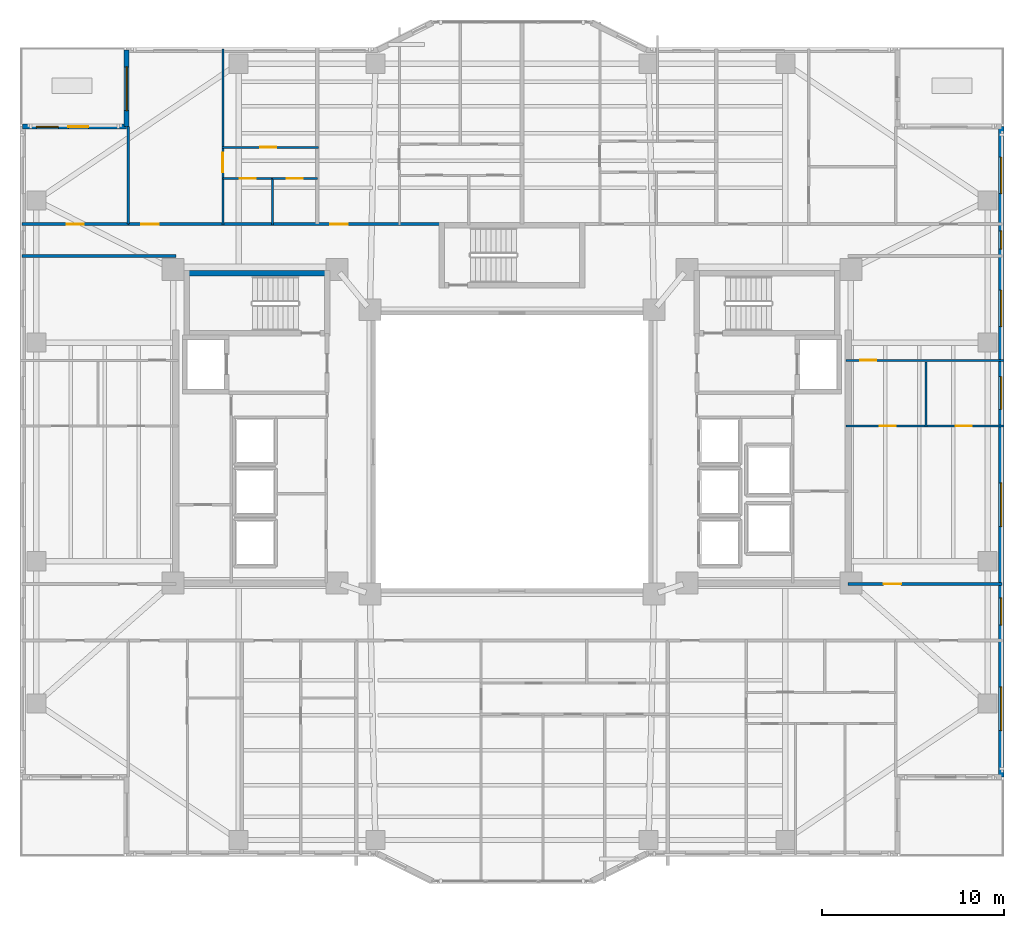
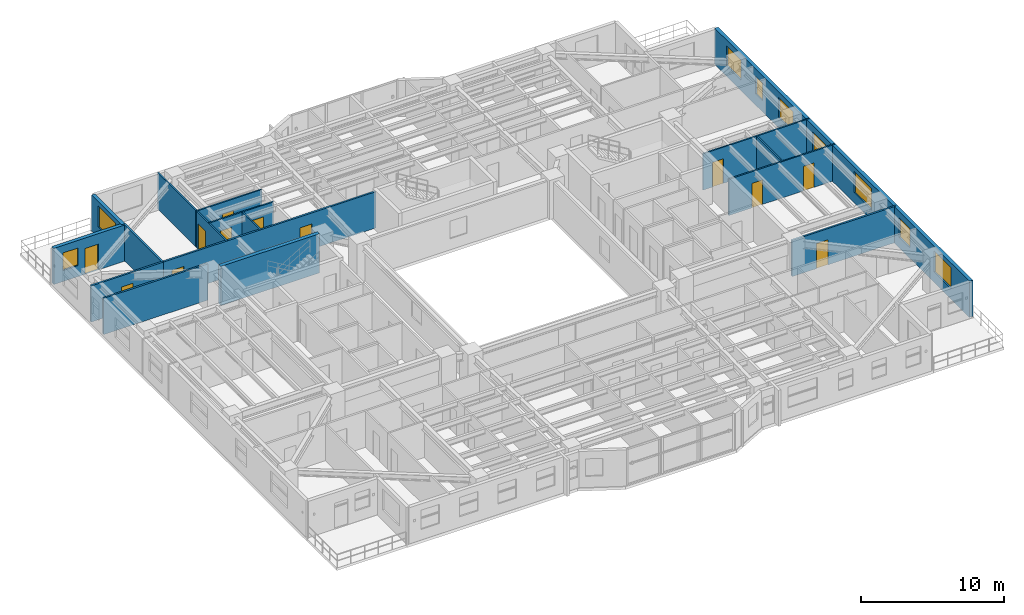
# One storey, part 10 of 19: 17 walls, 12 doors, 9 windows, 21 openings.
"""IFC4 building model written with IfcOpenShell, lengths in metres."""

from ifc_helpers import new_model, si_unit, direction, frame, frame_2d, origin, place, context, subcontext, project, spatial, rectangle, extrude, material, layer, layer_set, type_object, element, fill, save


model = new_model("IFC4")

# Units and contexts
model_context = context("Model", 3, precision=1e-05, world=origin(), true_north=direction((0.0, 1.0)))
body_context = subcontext(model_context, "Body", "Model", "MODEL_VIEW")
ifc_project = project(units=[si_unit("LENGTHUNIT", "METRE"), si_unit("AREAUNIT", "SQUARE_METRE"), si_unit("VOLUMEUNIT", "CUBIC_METRE"), si_unit("PLANEANGLEUNIT", "RADIAN"), si_unit("MASSUNIT", "GRAM", prefix="KILO")], contexts=[model_context])

# Site, building, storey
site_placement = place(None, origin())
site = spatial("IfcSite", under=ifc_project, at=site_placement, CompositionType="ELEMENT")
building_placement = place(site_placement, origin())
building = spatial("IfcBuilding", under=site, at=building_placement, Name="Tarnavaz Court Tower", CompositionType="ELEMENT")
storey_placement = place(building_placement, frame((0.0, 0.0, 78.300048828125)))
storey = spatial("IfcBuildingStorey", under=building, at=storey_placement, Name="L20", CompositionType="ELEMENT", Elevation=78.300048828125)

# Wall
ifc_material_1 = material(Name="Concrete C60/75", Category="concrete")
ifc_layer_1 = layer(ifc_material_1, 0.300048828125)
ifc_layer_set_1 = layer_set([ifc_layer_1], Name="Concrete C60/75")
wall_type_1 = type_object("IfcWallType", Name="WL-CORE-300-C60", PredefinedType="SHEAR", material=ifc_layer_set_1)
wall_1_placement = place(storey_placement, frame((-18.0, 9.7900390625, 0.0), z_axis=(0.0, 0.0, 1.0), x_axis=(1.0, 0.0, 0.0)))
element("IfcWall", 1, at=wall_1_placement, inside=storey, type_object=wall_type_1, Name="L20 West Stair Core Wall 001", PredefinedType="SHEAR", context=body_context, shape_type="SweptSolid", body=[
    extrude(rectangle(XDim=8.0, YDim=0.300048828125, at=frame_2d((4.0, 0.0))), origin(), (0.0, 0.0, 1.0), 3.349853515625),
])

# Wall, openings, door, window
ifc_material_2 = material(Name="Precast Concrete C40/50", Category="concrete")
ifc_layer_2 = layer(ifc_material_2, 0.280029296875)
ifc_layer_set_2 = layer_set([ifc_layer_2], Name="Precast Concrete C40/50")
wall_type_2 = type_object("IfcWallType", Name="WL-EXT-280", PredefinedType="SOLIDWALL", material=ifc_layer_set_2)
wall_2_placement = place(storey_placement, frame((-26.85009765625, 17.85009765625, 0.0), z_axis=(0.0, 0.0, 1.0), x_axis=(1.0, 0.0, 0.0)))
wall_2 = element("IfcWall", 2, at=wall_2_placement, inside=storey, type_object=wall_type_2, Name="L20 Exterior Terracotta Facade Wall 03", PredefinedType="SOLIDWALL", context=body_context, shape_type="SweptSolid", body=[
    extrude(rectangle(XDim=5.7001953125, YDim=0.280029296875, at=frame_2d((2.85009765625, 0.0))), origin(), (0.0, 0.0, 1.0), 3.099853515625),
])
opening_1_placement = place(wall_2_placement, frame((2.5, 0.0, 0.0)))
opening_1 = element("IfcOpeningElement", 3, at=opening_1_placement, cuts=wall_2, Name="Opening TD1", PredefinedType="OPENING", context=body_context, shape_type="SweptSolid", body=[
    extrude(rectangle(XDim=1.10009765625, YDim=2.199951171875, at=frame_2d((0.550048828125, 1.10009765625))), frame((0.0, 0.14990234375, 0.0), z_axis=(0.0, -1.0, 0.0), x_axis=(1.0, 0.0, 0.0)), (0.0, 0.0, 1.0), 0.300048828125),
])
opening_2_placement = place(wall_2_placement, frame((0.7548828125, 0.0, 0.949951171875)))
opening_2 = element("IfcOpeningElement", 4, at=opening_2_placement, cuts=wall_2, Name="Opening W05", PredefinedType="OPENING", context=body_context, shape_type="SweptSolid", body=[
    extrude(rectangle(XDim=1.199951171875, YDim=1.5, at=frame_2d((0.60009765625, 0.75))), frame((0.0, 0.14990234375, 0.0), z_axis=(0.0, -1.0, 0.0), x_axis=(1.0, 0.0, 0.0)), (0.0, 0.0, 1.0), 0.300048828125),
])
ifc_material_3 = material(Name="Thermally Broken Aluminium and Laminated Glass", Category="aluminium")
door_type_1 = type_object("IfcDoorType", Name="DR-TERR-1100", OperationType="NOTDEFINED", PredefinedType="DOOR", material=ifc_material_3)
door_1_placement = place(opening_1_placement, origin())
door_1 = element("IfcDoor", 5, at=door_1_placement, inside=storey, type_object=door_type_1, Name="L20 Sky Terrace Access Door 2", OperationType="SINGLE_SWING_RIGHT", OverallHeight=2.199951171875, OverallWidth=1.10009765625, PredefinedType="DOOR", context=body_context, shape_type="SweptSolid", body=[
    extrude(rectangle(XDim=1.10009765625, YDim=2.199951171875, at=frame_2d((0.550048828125, 1.10009765625))), frame((0.0, 0.02490234375, 0.0), z_axis=(0.0, -1.0, 0.0), x_axis=(1.0, 0.0, 0.0)), (0.0, 0.0, 1.0), 0.050048828125),
])
fill(opening_1, door_1)
ifc_material_4 = material(Name="Double-Glazed Solar Low-E Glass", Category="glass")
window_type_1 = type_object("IfcWindowType", Name="WN-APT-1200", PartitioningType="SINGLE_PANEL", PredefinedType="WINDOW", material=ifc_material_4)
window_1_placement = place(opening_2_placement, origin())
window_1 = element("IfcWindow", 6, at=window_1_placement, inside=storey, type_object=window_type_1, Name="L20 North-West Corner Sunroom Study Window", OverallHeight=1.5, OverallWidth=1.199951171875, PartitioningType="SINGLE_PANEL", PredefinedType="WINDOW", context=body_context, shape_type="SweptSolid", body=[
    extrude(rectangle(XDim=1.199951171875, YDim=1.5, at=frame_2d((0.60009765625, 0.75))), frame((0.0, 0.030029296875, 0.0), z_axis=(0.0, -1.0, 0.0), x_axis=(1.0, 0.0, 0.0)), (0.0, 0.0, 1.0), 0.06005859375),
])
fill(opening_2, window_1)

# Wall, opening, window
wall_3_placement = place(storey_placement, frame((-21.14990234375, 17.85009765625, 0.0), z_axis=(0.0, 0.0, 1.0), x_axis=(0.0, 1.0, 0.0)))
wall_3 = element("IfcWall", 7, at=wall_3_placement, inside=storey, type_object=wall_type_2, Name="L20 Exterior Terracotta Facade Wall 04", PredefinedType="SOLIDWALL", context=body_context, shape_type="SweptSolid", body=[
    extrude(rectangle(XDim=4.199951171875, YDim=0.280029296875, at=frame_2d((2.10009765625, 0.0))), origin(), (0.0, 0.0, 1.0), 3.099853515625),
])
opening_3_placement = place(wall_3_placement, frame((0.882080078125, 0.0, 0.89990234375)))
opening_3 = element("IfcOpeningElement", 8, at=opening_3_placement, cuts=wall_3, Name="Opening W06", PredefinedType="OPENING", context=body_context, shape_type="SweptSolid", body=[
    extrude(rectangle(XDim=2.39990234375, YDim=1.800048828125, at=frame_2d((1.199951171875, 0.89990234375))), frame((0.0, 0.14990234375, 0.0), z_axis=(0.0, -1.0, 0.0), x_axis=(1.0, 0.0, 0.0)), (0.0, 0.0, 1.0), 0.300048828125),
])
window_type_2 = type_object("IfcWindowType", Name="WN-APT-2400", PartitioningType="TRIPLE_PANEL_VERTICAL", PredefinedType="WINDOW", material=ifc_material_4)
window_2_placement = place(opening_3_placement, origin())
window_2 = element("IfcWindow", 9, at=window_2_placement, inside=storey, type_object=window_type_2, Name="L20 Flat 01 Living and Dining Room Window", OverallHeight=1.800048828125, OverallWidth=2.39990234375, PartitioningType="SINGLE_PANEL", PredefinedType="WINDOW", context=body_context, shape_type="SweptSolid", body=[
    extrude(rectangle(XDim=2.39990234375, YDim=1.800048828125, at=frame_2d((1.199951171875, 0.89990234375))), frame((0.0, 0.030029296875, 0.0), z_axis=(0.0, -1.0, 0.0), x_axis=(1.0, 0.0, 0.0)), (0.0, 0.0, 1.0), 0.06005859375),
])
fill(opening_3, window_2)

# Wall, openings, windows
wall_4_placement = place(storey_placement, frame((26.85009765625, 17.85009765625, 0.0), z_axis=(0.0, 0.0, 1.0), x_axis=(0.0, -1.0, 0.0)))
wall_4 = element("IfcWall", 10, at=wall_4_placement, inside=storey, type_object=wall_type_2, Name="L20 Exterior Terracotta Facade Wall 12", PredefinedType="SOLIDWALL", context=body_context, shape_type="SweptSolid", body=[
    extrude(rectangle(XDim=35.7001953125, YDim=0.280029296875, at=frame_2d((17.85009765625, 0.0))), origin(), (0.0, 0.0, 1.0), 3.099853515625),
])
opening_4_placement = place(wall_4_placement, frame((1.675048828125, 0.0, 0.89990234375)))
opening_4 = element("IfcOpeningElement", 11, at=opening_4_placement, cuts=wall_4, Name="Opening W08", PredefinedType="OPENING", context=body_context, shape_type="SweptSolid", body=[
    extrude(rectangle(XDim=2.0, YDim=1.699951171875, at=frame_2d((1.0, 0.85009765625))), frame((0.0, 0.14990234375, 0.0), z_axis=(0.0, -1.0, 0.0), x_axis=(1.0, 0.0, 0.0)), (0.0, 0.0, 1.0), 0.300048828125),
])
opening_5_placement = place(wall_4_placement, frame((5.72509765625, 0.0, 0.949951171875)))
opening_5 = element("IfcOpeningElement", 12, at=opening_5_placement, cuts=wall_4, Name="Opening W14", PredefinedType="OPENING", context=body_context, shape_type="SweptSolid", body=[
    extrude(rectangle(XDim=1.0, YDim=1.5, at=frame_2d((0.5, 0.75))), frame((0.0, 0.14990234375, 0.0), z_axis=(0.0, -1.0, 0.0), x_axis=(1.0, 0.0, 0.0)), (0.0, 0.0, 1.0), 0.300048828125),
])
opening_6_placement = place(wall_4_placement, frame((8.97509765625, 0.0, 0.89990234375)))
opening_6 = element("IfcOpeningElement", 13, at=opening_6_placement, cuts=wall_4, Name="Opening W08", PredefinedType="OPENING", context=body_context, shape_type="SweptSolid", body=[
    extrude(rectangle(XDim=2.0, YDim=1.699951171875, at=frame_2d((1.0, 0.85009765625))), frame((0.0, 0.14990234375, 0.0), z_axis=(0.0, -1.0, 0.0), x_axis=(1.0, 0.0, 0.0)), (0.0, 0.0, 1.0), 0.300048828125),
])
opening_7_placement = place(wall_4_placement, frame((13.72509765625, 0.0, 0.89990234375)))
opening_7 = element("IfcOpeningElement", 14, at=opening_7_placement, cuts=wall_4, Name="Opening W01", PredefinedType="OPENING", context=body_context, shape_type="SweptSolid", body=[
    extrude(rectangle(XDim=1.800048828125, YDim=1.64990234375, at=frame_2d((0.89990234375, 0.824951171875))), frame((0.0, 0.14990234375, 0.0), z_axis=(0.0, -1.0, 0.0), x_axis=(1.0, 0.0, 0.0)), (0.0, 0.0, 1.0), 0.300048828125),
])
opening_8_placement = place(wall_4_placement, frame((19.550048828125, 0.0, 0.89990234375)))
opening_8 = element("IfcOpeningElement", 15, at=opening_8_placement, cuts=wall_4, Name="Opening W06", PredefinedType="OPENING", context=body_context, shape_type="SweptSolid", body=[
    extrude(rectangle(XDim=2.39990234375, YDim=1.800048828125, at=frame_2d((1.199951171875, 0.89990234375))), frame((0.0, 0.14990234375, 0.0), z_axis=(0.0, -1.0, 0.0), x_axis=(1.0, 0.0, 0.0)), (0.0, 0.0, 1.0), 0.300048828125),
])
opening_9_placement = place(wall_4_placement, frame((25.857421875, 0.0, 0.89990234375)))
opening_9 = element("IfcOpeningElement", 16, at=opening_9_placement, cuts=wall_4, Name="Opening W03", PredefinedType="OPENING", context=body_context, shape_type="SweptSolid", body=[
    extrude(rectangle(XDim=1.5, YDim=1.64990234375, at=frame_2d((0.75, 0.824951171875))), frame((0.0, 0.14990234375, 0.0), z_axis=(0.0, -1.0, 0.0), x_axis=(1.0, 0.0, 0.0)), (0.0, 0.0, 1.0), 0.300048828125),
])
opening_10_placement = place(wall_4_placement, frame((30.75, 0.0, 0.89990234375)))
opening_10 = element("IfcOpeningElement", 17, at=opening_10_placement, cuts=wall_4, Name="Opening W06", PredefinedType="OPENING", context=body_context, shape_type="SweptSolid", body=[
    extrude(rectangle(XDim=2.39990234375, YDim=1.800048828125, at=frame_2d((1.199951171875, 0.89990234375))), frame((0.0, 0.14990234375, 0.0), z_axis=(0.0, -1.0, 0.0), x_axis=(1.0, 0.0, 0.0)), (0.0, 0.0, 1.0), 0.300048828125),
])
window_type_3 = type_object("IfcWindowType", Name="WN-APT-1000", PartitioningType="SINGLE_PANEL", PredefinedType="WINDOW", material=ifc_material_4)
window_3_placement = place(opening_5_placement, origin())
window_3 = element("IfcWindow", 18, at=window_3_placement, inside=storey, type_object=window_type_3, Name="L20 North-East Corner Corridor Window", OverallHeight=1.5, OverallWidth=1.0, PartitioningType="SINGLE_PANEL", PredefinedType="WINDOW", context=body_context, shape_type="SweptSolid", body=[
    extrude(rectangle(XDim=1.0, YDim=1.5, at=frame_2d((0.5, 0.75))), frame((0.0, 0.030029296875, 0.0), z_axis=(0.0, -1.0, 0.0), x_axis=(1.0, 0.0, 0.0)), (0.0, 0.0, 1.0), 0.06005859375),
])
fill(opening_5, window_3)
window_type_4 = type_object("IfcWindowType", Name="WN-APT-1500", PartitioningType="DOUBLE_PANEL_VERTICAL", PredefinedType="WINDOW", material=ifc_material_4)
window_4_placement = place(opening_9_placement, origin())
window_4 = element("IfcWindow", 19, at=window_4_placement, inside=storey, type_object=window_type_4, Name="L20 South-East Corner Corridor Window", OverallHeight=1.64990234375, OverallWidth=1.5, PartitioningType="SINGLE_PANEL", PredefinedType="WINDOW", context=body_context, shape_type="SweptSolid", body=[
    extrude(rectangle(XDim=1.5, YDim=1.64990234375, at=frame_2d((0.75, 0.824951171875))), frame((0.0, 0.030029296875, 0.0), z_axis=(0.0, -1.0, 0.0), x_axis=(1.0, 0.0, 0.0)), (0.0, 0.0, 1.0), 0.06005859375),
])
fill(opening_9, window_4)
window_type_5 = type_object("IfcWindowType", Name="WN-APT-1800", PartitioningType="DOUBLE_PANEL_VERTICAL", PredefinedType="WINDOW", material=ifc_material_4)
window_5_placement = place(opening_7_placement, origin())
window_5 = element("IfcWindow", 20, at=window_5_placement, inside=storey, type_object=window_type_5, Name="L20 Flat 10 Bathroom Window", OverallHeight=1.64990234375, OverallWidth=1.800048828125, PartitioningType="SINGLE_PANEL", PredefinedType="WINDOW", context=body_context, shape_type="SweptSolid", body=[
    extrude(rectangle(XDim=1.800048828125, YDim=1.64990234375, at=frame_2d((0.89990234375, 0.824951171875))), frame((0.0, 0.030029296875, 0.0), z_axis=(0.0, -1.0, 0.0), x_axis=(1.0, 0.0, 0.0)), (0.0, 0.0, 1.0), 0.06005859375),
])
fill(opening_7, window_5)
window_type_6 = type_object("IfcWindowType", Name="WN-APT-2000", PartitioningType="DOUBLE_PANEL_VERTICAL", PredefinedType="WINDOW", material=ifc_material_4)
window_6_placement = place(opening_4_placement, origin())
window_6 = element("IfcWindow", 21, at=window_6_placement, inside=storey, type_object=window_type_6, Name="L20 North-East Corner Sunroom Study Window", OverallHeight=1.699951171875, OverallWidth=2.0, PartitioningType="SINGLE_PANEL", PredefinedType="WINDOW", context=body_context, shape_type="SweptSolid", body=[
    extrude(rectangle(XDim=2.0, YDim=1.699951171875, at=frame_2d((1.0, 0.85009765625))), frame((0.0, 0.030029296875, 0.0), z_axis=(0.0, -1.0, 0.0), x_axis=(1.0, 0.0, 0.0)), (0.0, 0.0, 1.0), 0.06005859375),
])
fill(opening_4, window_6)
window_7_placement = place(opening_6_placement, origin())
window_7 = element("IfcWindow", 22, at=window_7_placement, inside=storey, type_object=window_type_6, Name="L20 Flat 10 Study Room Window", OverallHeight=1.699951171875, OverallWidth=2.0, PartitioningType="SINGLE_PANEL", PredefinedType="WINDOW", context=body_context, shape_type="SweptSolid", body=[
    extrude(rectangle(XDim=2.0, YDim=1.699951171875, at=frame_2d((1.0, 0.85009765625))), frame((0.0, 0.030029296875, 0.0), z_axis=(0.0, -1.0, 0.0), x_axis=(1.0, 0.0, 0.0)), (0.0, 0.0, 1.0), 0.06005859375),
])
fill(opening_6, window_7)
window_8_placement = place(opening_8_placement, origin())
window_8 = element("IfcWindow", 23, at=window_8_placement, inside=storey, type_object=window_type_2, Name="L20 Flat 10 Studio Living and Sleeping Room Window", OverallHeight=1.800048828125, OverallWidth=2.39990234375, PartitioningType="SINGLE_PANEL", PredefinedType="WINDOW", context=body_context, shape_type="SweptSolid", body=[
    extrude(rectangle(XDim=2.39990234375, YDim=1.800048828125, at=frame_2d((1.199951171875, 0.89990234375))), frame((0.0, 0.030029296875, 0.0), z_axis=(0.0, -1.0, 0.0), x_axis=(1.0, 0.0, 0.0)), (0.0, 0.0, 1.0), 0.06005859375),
])
fill(opening_8, window_8)
window_9_placement = place(opening_10_placement, origin())
window_9 = element("IfcWindow", 24, at=window_9_placement, inside=storey, type_object=window_type_2, Name="L20 South-East Corner Reading Room Window", OverallHeight=1.800048828125, OverallWidth=2.39990234375, PartitioningType="SINGLE_PANEL", PredefinedType="WINDOW", context=body_context, shape_type="SweptSolid", body=[
    extrude(rectangle(XDim=2.39990234375, YDim=1.800048828125, at=frame_2d((1.199951171875, 0.89990234375))), frame((0.0, 0.030029296875, 0.0), z_axis=(0.0, -1.0, 0.0), x_axis=(1.0, 0.0, 0.0)), (0.0, 0.0, 1.0), 0.06005859375),
])
fill(opening_10, window_9)

# Wall, openings, doors
ifc_material_5 = material(Name="Gypsum Fire-Board on Acoustic Metal Stud", Category="masonry")
ifc_layer_3 = layer(ifc_material_5, 0.14990234375)
ifc_layer_set_3 = layer_set([ifc_layer_3], Name="Gypsum Fire-Board on Acoustic Metal Stud")
wall_type_3 = type_object("IfcWallType", Name="WL-FIRE-150", PredefinedType="PARTITIONING", material=ifc_layer_set_3)
wall_5_placement = place(storey_placement, frame((-21.050048828125, 12.5, 0.0), z_axis=(0.0, 0.0, 1.0), x_axis=(1.0, 0.0, 0.0)))
wall_5 = element("IfcWall", 25, at=wall_5_placement, inside=storey, type_object=wall_type_3, Name="L20 NW Wing Corridor Wall 071", PredefinedType="PARTITIONING", context=body_context, shape_type="SweptSolid", body=[
    extrude(rectangle(XDim=17.199951171875, YDim=0.14990234375, at=frame_2d((8.60009765625, 0.0))), origin(), (0.0, 0.0, 1.0), 3.099853515625),
])
opening_11_placement = place(wall_5_placement, frame((0.699951171875, 0.0, 0.0)))
opening_11 = element("IfcOpeningElement", 26, at=opening_11_placement, cuts=wall_5, Name="Opening D06", PredefinedType="OPENING", context=body_context, shape_type="SweptSolid", body=[
    extrude(rectangle(XDim=0.9599609375, YDim=2.14990234375, at=frame_2d((0.47998046875, 1.074951171875))), frame((0.0, 0.0849609375, 0.0), z_axis=(0.0, -1.0, 0.0), x_axis=(1.0, 0.0, 0.0)), (0.0, 0.0, 1.0), 0.169921875),
])
opening_12_placement = place(wall_5_placement, frame((11.068115234375, 0.0, 0.0)))
opening_12 = element("IfcOpeningElement", 27, at=opening_12_placement, cuts=wall_5, Name="Opening D06", PredefinedType="OPENING", context=body_context, shape_type="SweptSolid", body=[
    extrude(rectangle(XDim=0.9599609375, YDim=2.14990234375, at=frame_2d((0.47998046875, 1.074951171875))), frame((0.0, 0.0849609375, 0.0), z_axis=(0.0, -1.0, 0.0), x_axis=(1.0, 0.0, 0.0)), (0.0, 0.0, 1.0), 0.169921875),
])
ifc_material_6 = material(Name="Fire-Rated Hardwood Timber Core", Category="wood")
door_type_2 = type_object("IfcDoorType", Name="DR-FD60-950", OperationType="NOTDEFINED", PredefinedType="DOOR", material=ifc_material_6)
door_2_placement = place(opening_11_placement, origin())
door_2 = element("IfcDoor", 28, at=door_2_placement, inside=storey, type_object=door_type_2, Name="L20 Flat 01 Entrance Door", OperationType="SINGLE_SWING_LEFT", OverallHeight=2.14990234375, OverallWidth=0.9599609375, PredefinedType="DOOR", context=body_context, shape_type="SweptSolid", body=[
    extrude(rectangle(XDim=0.9599609375, YDim=2.14990234375, at=frame_2d((0.47998046875, 1.074951171875))), frame((0.0, 0.02490234375, 0.0), z_axis=(0.0, -1.0, 0.0), x_axis=(1.0, 0.0, 0.0)), (0.0, 0.0, 1.0), 0.050048828125),
])
fill(opening_11, door_2)
door_3_placement = place(opening_12_placement, origin())
door_3 = element("IfcDoor", 29, at=door_3_placement, inside=storey, type_object=door_type_2, Name="L20 Flat 02 Entrance Door", OperationType="SINGLE_SWING_RIGHT", OverallHeight=2.14990234375, OverallWidth=0.9599609375, PredefinedType="DOOR", context=body_context, shape_type="SweptSolid", body=[
    extrude(rectangle(XDim=0.9599609375, YDim=2.14990234375, at=frame_2d((0.47998046875, 1.074951171875))), frame((0.0, 0.02490234375, 0.0), z_axis=(0.0, -1.0, 0.0), x_axis=(1.0, 0.0, 0.0)), (0.0, 0.0, 1.0), 0.050048828125),
])
fill(opening_12, door_3)

# Wall
wall_6_placement = place(storey_placement, frame((-26.8798828125, 10.75, 0.0), z_axis=(0.0, 0.0, 1.0), x_axis=(1.0, 0.0, 0.0)))
element("IfcWall", 30, at=wall_6_placement, inside=storey, type_object=wall_type_3, Name="L20 Interior Partition 123", PredefinedType="PARTITIONING", context=body_context, shape_type="SweptSolid", body=[
    extrude(rectangle(XDim=8.429931640625, YDim=0.14990234375, at=frame_2d((4.21484375, 0.0))), origin(), (0.0, 0.0, 1.0), 3.099853515625),
])

# Wall, opening, door
wall_7_placement = place(storey_placement, frame((18.449951171875, -7.25, 0.0), z_axis=(0.0, 0.0, 1.0), x_axis=(1.0, 0.0, 0.0)))
wall_7 = element("IfcWall", 31, at=wall_7_placement, inside=storey, type_object=wall_type_3, Name="L20 Interior Partition 124", PredefinedType="PARTITIONING", context=body_context, shape_type="SweptSolid", body=[
    extrude(rectangle(XDim=8.429931640625, YDim=0.14990234375, at=frame_2d((4.21484375, 0.0))), origin(), (0.0, 0.0, 1.0), 3.099853515625),
])
opening_13_placement = place(wall_7_placement, frame((1.949951171875, 0.0, 0.0)))
opening_13 = element("IfcOpeningElement", 32, at=opening_13_placement, cuts=wall_7, Name="Opening D06", PredefinedType="OPENING", context=body_context, shape_type="SweptSolid", body=[
    extrude(rectangle(XDim=0.9599609375, YDim=2.14990234375, at=frame_2d((0.47998046875, 1.074951171875))), frame((0.0, 0.0849609375, 0.0), z_axis=(0.0, -1.0, 0.0), x_axis=(1.0, 0.0, 0.0)), (0.0, 0.0, 1.0), 0.169921875),
])
door_4_placement = place(opening_13_placement, origin())
door_4 = element("IfcDoor", 33, at=door_4_placement, inside=storey, type_object=door_type_2, Name="L20 Flat 10 Entrance Door", OperationType="SINGLE_SWING_LEFT", OverallHeight=2.14990234375, OverallWidth=0.9599609375, PredefinedType="DOOR", context=body_context, shape_type="SweptSolid", body=[
    extrude(rectangle(XDim=0.9599609375, YDim=2.14990234375, at=frame_2d((0.47998046875, 1.074951171875))), frame((0.0, 0.02490234375, 0.0), z_axis=(0.0, -1.0, 0.0), x_axis=(1.0, 0.0, 0.0)), (0.0, 0.0, 1.0), 0.050048828125),
])
fill(opening_13, door_4)

wall_8_placement = place(storey_placement, frame((-26.8798828125, 12.5, 0.0), z_axis=(0.0, 0.0, 1.0), x_axis=(1.0, 0.0, 0.0)))
wall_8 = element("IfcWall", 34, at=wall_8_placement, inside=storey, type_object=wall_type_3, Name="L20 Interior Partition 130", PredefinedType="PARTITIONING", context=body_context, shape_type="SweptSolid", body=[
    extrude(rectangle(XDim=5.829833984375, YDim=0.14990234375, at=frame_2d((2.9150390625, 0.0))), origin(), (0.0, 0.0, 1.0), 3.099853515625),
])
opening_14_placement = place(wall_8_placement, frame((2.43994140625, 0.0, 0.0)))
opening_14 = element("IfcOpeningElement", 35, at=opening_14_placement, cuts=wall_8, Name="Opening D13", PredefinedType="OPENING", context=body_context, shape_type="SweptSolid", body=[
    extrude(rectangle(XDim=0.949951171875, YDim=2.14990234375, at=frame_2d((0.47509765625, 1.074951171875))), frame((0.0, 0.0849609375, 0.0), z_axis=(0.0, -1.0, 0.0), x_axis=(1.0, 0.0, 0.0)), (0.0, 0.0, 1.0), 0.169921875),
])
ifc_material_7 = material(Name="Engineered Oak Timber", Category="wood")
door_type_3 = type_object("IfcDoorType", Name="DR-INT-950", OperationType="NOTDEFINED", PredefinedType="DOOR", material=ifc_material_7)
door_5_placement = place(opening_14_placement, origin())
door_5 = element("IfcDoor", 36, at=door_5_placement, inside=storey, type_object=door_type_3, Name="L20 NW Sunroom Door", OperationType="SINGLE_SWING_LEFT", OverallHeight=2.14990234375, OverallWidth=0.949951171875, PredefinedType="DOOR", context=body_context, shape_type="SweptSolid", body=[
    extrude(rectangle(XDim=0.949951171875, YDim=2.14990234375, at=frame_2d((0.47509765625, 1.074951171875))), frame((0.0, 0.02490234375, 0.0), z_axis=(0.0, -1.0, 0.0), x_axis=(1.0, 0.0, 0.0)), (0.0, 0.0, 1.0), 0.050048828125),
])
fill(opening_14, door_5)

ifc_material_8 = material(Name="Moisture-Resistant Gypsum Board Partition", Category="masonry")
ifc_layer_4 = layer(ifc_material_8, 0.1201171875)
ifc_layer_set_4 = layer_set([ifc_layer_4], Name="Moisture-Resistant Gypsum Board Partition")
wall_type_4 = type_object("IfcWallType", Name="WL-PART-120", PredefinedType="PARTITIONING", material=ifc_layer_set_4)
wall_9_placement = place(storey_placement, frame((-15.865966796875, 12.43994140625, 0.0), z_axis=(0.0, 0.0, 1.0), x_axis=(0.0, 1.0, 0.0)))
wall_9 = element("IfcWall", 37, at=wall_9_placement, inside=storey, type_object=wall_type_4, Name="L20 Interior Partition 077", PredefinedType="PARTITIONING", context=body_context, shape_type="SweptSolid", body=[
    extrude(rectangle(XDim=9.66015625, YDim=0.1201171875, at=frame_2d((4.830078125, 0.0))), origin(), (0.0, 0.0, 1.0), 3.099853515625),
])
opening_15_placement = place(wall_9_placement, frame((2.905029296875, 0.0, 0.0)))
opening_15 = element("IfcOpeningElement", 38, at=opening_15_placement, cuts=wall_9, Name="Opening D12", PredefinedType="OPENING", context=body_context, shape_type="SweptSolid", body=[
    extrude(rectangle(XDim=1.080078125, YDim=2.14990234375, at=frame_2d((0.5400390625, 1.074951171875))), frame((0.0, 0.070068359375, 0.0), z_axis=(0.0, -1.0, 0.0), x_axis=(1.0, 0.0, 0.0)), (0.0, 0.0, 1.0), 0.14013671875),
])
door_type_4 = type_object("IfcDoorType", Name="DR-INT-1100", OperationType="NOTDEFINED", PredefinedType="DOOR", material=ifc_material_7)
door_6_placement = place(opening_15_placement, origin())
door_6 = element("IfcDoor", 39, at=door_6_placement, inside=storey, type_object=door_type_4, Name="L20 Flat 01 Foyer Door", OperationType="SINGLE_SWING_RIGHT", OverallHeight=2.14990234375, OverallWidth=1.080078125, PredefinedType="DOOR", context=body_context, shape_type="SweptSolid", body=[
    extrude(rectangle(XDim=1.080078125, YDim=2.14990234375, at=frame_2d((0.5400390625, 1.074951171875))), frame((0.0, 0.02490234375, 0.0), z_axis=(0.0, -1.0, 0.0), x_axis=(1.0, 0.0, 0.0)), (0.0, 0.0, 1.0), 0.050048828125),
])
fill(opening_15, door_6)

wall_10_placement = place(storey_placement, frame((-15.865966796875, 15.0, 0.0), z_axis=(0.0, 0.0, 1.0), x_axis=(1.0, 0.0, 0.0)))
wall_10 = element("IfcWall", 40, at=wall_10_placement, inside=storey, type_object=wall_type_4, Name="L20 Interior Partition 078", PredefinedType="PARTITIONING", context=body_context, shape_type="SweptSolid", body=[
    extrude(rectangle(XDim=2.716064453125, YDim=0.1201171875, at=frame_2d((1.35791015625, 0.0))), origin(), (0.0, 0.0, 1.0), 3.099853515625),
])
opening_16_placement = place(wall_10_placement, frame((0.91796875, 0.0, 0.0)))
opening_16 = element("IfcOpeningElement", 41, at=opening_16_placement, cuts=wall_10, Name="Opening D14", PredefinedType="OPENING", context=body_context, shape_type="SweptSolid", body=[
    extrude(rectangle(XDim=0.8798828125, YDim=2.10009765625, at=frame_2d((0.43994140625, 1.050048828125))), frame((0.0, 0.070068359375, 0.0), z_axis=(0.0, -1.0, 0.0), x_axis=(1.0, 0.0, 0.0)), (0.0, 0.0, 1.0), 0.14013671875),
])
door_type_5 = type_object("IfcDoorType", Name="DR-INT-900", OperationType="NOTDEFINED", PredefinedType="DOOR", material=ifc_material_7)
door_7_placement = place(opening_16_placement, origin())
door_7 = element("IfcDoor", 42, at=door_7_placement, inside=storey, type_object=door_type_5, Name="L20 Flat 01 Kitchen Door", OperationType="SINGLE_SWING_LEFT", OverallHeight=2.10009765625, OverallWidth=0.8798828125, PredefinedType="DOOR", context=body_context, shape_type="SweptSolid", body=[
    extrude(rectangle(XDim=0.8798828125, YDim=2.10009765625, at=frame_2d((0.43994140625, 1.050048828125))), frame((0.0, 0.02490234375, 0.0), z_axis=(0.0, -1.0, 0.0), x_axis=(1.0, 0.0, 0.0)), (0.0, 0.0, 1.0), 0.050048828125),
])
fill(opening_16, door_7)

wall_11_placement = place(storey_placement, frame((-13.14990234375, 15.0, 0.0), z_axis=(0.0, 0.0, 1.0), x_axis=(1.0, 0.0, 0.0)))
wall_11 = element("IfcWall", 43, at=wall_11_placement, inside=storey, type_object=wall_type_4, Name="L20 Interior Partition 079", PredefinedType="PARTITIONING", context=body_context, shape_type="SweptSolid", body=[
    extrude(rectangle(XDim=2.468017578125, YDim=0.1201171875, at=frame_2d((1.23388671875, 0.0))), origin(), (0.0, 0.0, 1.0), 3.099853515625),
])
opening_17_placement = place(wall_11_placement, frame((0.7939453125, 0.0, 0.0)))
opening_17 = element("IfcOpeningElement", 44, at=opening_17_placement, cuts=wall_11, Name="Opening D14", PredefinedType="OPENING", context=body_context, shape_type="SweptSolid", body=[
    extrude(rectangle(XDim=0.8798828125, YDim=2.10009765625, at=frame_2d((0.43994140625, 1.050048828125))), frame((0.0, 0.070068359375, 0.0), z_axis=(0.0, -1.0, 0.0), x_axis=(1.0, 0.0, 0.0)), (0.0, 0.0, 1.0), 0.14013671875),
])
door_8_placement = place(opening_17_placement, origin())
door_8 = element("IfcDoor", 45, at=door_8_placement, inside=storey, type_object=door_type_5, Name="L20 Flat 01 Bathroom Door", OperationType="SINGLE_SWING_RIGHT", OverallHeight=2.10009765625, OverallWidth=0.8798828125, PredefinedType="DOOR", context=body_context, shape_type="SweptSolid", body=[
    extrude(rectangle(XDim=0.8798828125, YDim=2.10009765625, at=frame_2d((0.43994140625, 1.050048828125))), frame((0.0, 0.02490234375, 0.0), z_axis=(0.0, -1.0, 0.0), x_axis=(1.0, 0.0, 0.0)), (0.0, 0.0, 1.0), 0.050048828125),
])
fill(opening_17, door_8)

wall_12_placement = place(storey_placement, frame((-15.926025390625, 16.7099609375, 0.0), z_axis=(0.0, 0.0, 1.0), x_axis=(1.0, 0.0, 0.0)))
wall_12 = element("IfcWall", 46, at=wall_12_placement, inside=storey, type_object=wall_type_4, Name="L20 Interior Partition 080", PredefinedType="PARTITIONING", context=body_context, shape_type="SweptSolid", body=[
    extrude(rectangle(XDim=5.303955078125, YDim=0.1201171875, at=frame_2d((2.65185546875, 0.0))), origin(), (0.0, 0.0, 1.0), 3.099853515625),
])
opening_18_placement = place(wall_12_placement, frame((2.1220703125, 0.0, 0.0)))
opening_18 = element("IfcOpeningElement", 47, at=opening_18_placement, cuts=wall_12, Name="Opening D14", PredefinedType="OPENING", context=body_context, shape_type="SweptSolid", body=[
    extrude(rectangle(XDim=0.8798828125, YDim=2.10009765625, at=frame_2d((0.43994140625, 1.050048828125))), frame((0.0, 0.070068359375, 0.0), z_axis=(0.0, -1.0, 0.0), x_axis=(1.0, 0.0, 0.0)), (0.0, 0.0, 1.0), 0.14013671875),
])
door_9_placement = place(opening_18_placement, origin())
door_9 = element("IfcDoor", 48, at=door_9_placement, inside=storey, type_object=door_type_5, Name="L20 Flat 01 Bedroom 1 Door", OperationType="SINGLE_SWING_LEFT", OverallHeight=2.10009765625, OverallWidth=0.8798828125, PredefinedType="DOOR", context=body_context, shape_type="SweptSolid", body=[
    extrude(rectangle(XDim=0.8798828125, YDim=2.10009765625, at=frame_2d((0.43994140625, 1.050048828125))), frame((0.0, 0.02490234375, 0.0), z_axis=(0.0, -1.0, 0.0), x_axis=(1.0, 0.0, 0.0)), (0.0, 0.0, 1.0), 0.050048828125),
])
fill(opening_18, door_9)

# Wall
wall_13_placement = place(storey_placement, frame((-13.14990234375, 12.43994140625, 0.0), z_axis=(0.0, 0.0, 1.0), x_axis=(0.0, 1.0, 0.0)))
element("IfcWall", 49, at=wall_13_placement, inside=storey, type_object=wall_type_4, Name="L20 Interior Partition 081", PredefinedType="PARTITIONING", context=body_context, shape_type="SweptSolid", body=[
    extrude(rectangle(XDim=2.6201171875, YDim=0.1201171875, at=frame_2d((1.31005859375, 0.0))), origin(), (0.0, 0.0, 1.0), 3.099853515625),
])

# Wall, openings, doors
wall_14_placement = place(storey_placement, frame((18.330078125, 1.419921875, 0.0), z_axis=(0.0, 0.0, 1.0), x_axis=(1.0, 0.0, 0.0)))
wall_14 = element("IfcWall", 50, at=wall_14_placement, inside=storey, type_object=wall_type_4, Name="L20 Interior Partition 137", PredefinedType="PARTITIONING", context=body_context, shape_type="SweptSolid", body=[
    extrude(rectangle(XDim=8.669921875, YDim=0.1201171875, at=frame_2d((4.3349609375, 0.0))), origin(), (0.0, 0.0, 1.0), 3.099853515625),
])
opening_19_placement = place(wall_14_placement, frame((1.863037109375, 0.0, 0.0)))
opening_19 = element("IfcOpeningElement", 51, at=opening_19_placement, cuts=wall_14, Name="Opening D14", PredefinedType="OPENING", context=body_context, shape_type="SweptSolid", body=[
    extrude(rectangle(XDim=0.8798828125, YDim=2.10009765625, at=frame_2d((0.43994140625, 1.050048828125))), frame((0.0, 0.070068359375, 0.0), z_axis=(0.0, -1.0, 0.0), x_axis=(1.0, 0.0, 0.0)), (0.0, 0.0, 1.0), 0.14013671875),
])
opening_20_placement = place(wall_14_placement, frame((6.028076171875, 0.0, 0.0)))
opening_20 = element("IfcOpeningElement", 52, at=opening_20_placement, cuts=wall_14, Name="Opening D14", PredefinedType="OPENING", context=body_context, shape_type="SweptSolid", body=[
    extrude(rectangle(XDim=0.8798828125, YDim=2.10009765625, at=frame_2d((0.43994140625, 1.050048828125))), frame((0.0, 0.070068359375, 0.0), z_axis=(0.0, -1.0, 0.0), x_axis=(1.0, 0.0, 0.0)), (0.0, 0.0, 1.0), 0.14013671875),
])
door_10_placement = place(opening_19_placement, origin())
door_10 = element("IfcDoor", 53, at=door_10_placement, inside=storey, type_object=door_type_5, Name="L20 Flat 10 Kitchen Door", OperationType="SINGLE_SWING_RIGHT", OverallHeight=2.10009765625, OverallWidth=0.8798828125, PredefinedType="DOOR", context=body_context, shape_type="SweptSolid", body=[
    extrude(rectangle(XDim=0.8798828125, YDim=2.10009765625, at=frame_2d((0.43994140625, 1.050048828125))), frame((0.0, 0.02490234375, 0.0), z_axis=(0.0, -1.0, 0.0), x_axis=(1.0, 0.0, 0.0)), (0.0, 0.0, 1.0), 0.050048828125),
])
fill(opening_19, door_10)
door_11_placement = place(opening_20_placement, origin())
door_11 = element("IfcDoor", 54, at=door_11_placement, inside=storey, type_object=door_type_5, Name="L20 Flat 10 Bathroom Door", OperationType="SINGLE_SWING_LEFT", OverallHeight=2.10009765625, OverallWidth=0.8798828125, PredefinedType="DOOR", context=body_context, shape_type="SweptSolid", body=[
    extrude(rectangle(XDim=0.8798828125, YDim=2.10009765625, at=frame_2d((0.43994140625, 1.050048828125))), frame((0.0, 0.02490234375, 0.0), z_axis=(0.0, -1.0, 0.0), x_axis=(1.0, 0.0, 0.0)), (0.0, 0.0, 1.0), 0.050048828125),
])
fill(opening_20, door_11)

# Wall, opening, door
wall_15_placement = place(storey_placement, frame((18.330078125, 5.02001953125, 0.0), z_axis=(0.0, 0.0, 1.0), x_axis=(1.0, 0.0, 0.0)))
wall_15 = element("IfcWall", 55, at=wall_15_placement, inside=storey, type_object=wall_type_4, Name="L20 Interior Partition 138", PredefinedType="PARTITIONING", context=body_context, shape_type="SweptSolid", body=[
    extrude(rectangle(XDim=8.669921875, YDim=0.1201171875, at=frame_2d((4.3349609375, 0.0))), origin(), (0.0, 0.0, 1.0), 3.099853515625),
])
opening_21_placement = place(wall_15_placement, frame((0.77001953125, 0.0, 0.0)))
opening_21 = element("IfcOpeningElement", 56, at=opening_21_placement, cuts=wall_15, Name="Opening D14", PredefinedType="OPENING", context=body_context, shape_type="SweptSolid", body=[
    extrude(rectangle(XDim=0.8798828125, YDim=2.10009765625, at=frame_2d((0.43994140625, 1.050048828125))), frame((0.0, 0.070068359375, 0.0), z_axis=(0.0, -1.0, 0.0), x_axis=(1.0, 0.0, 0.0)), (0.0, 0.0, 1.0), 0.14013671875),
])
door_12_placement = place(opening_21_placement, origin())
door_12 = element("IfcDoor", 57, at=door_12_placement, inside=storey, type_object=door_type_5, Name="L20 Flat 10 Study Door", OperationType="SINGLE_SWING_RIGHT", OverallHeight=2.10009765625, OverallWidth=0.8798828125, PredefinedType="DOOR", context=body_context, shape_type="SweptSolid", body=[
    extrude(rectangle(XDim=0.8798828125, YDim=2.10009765625, at=frame_2d((0.43994140625, 1.050048828125))), frame((0.0, 0.02490234375, 0.0), z_axis=(0.0, -1.0, 0.0), x_axis=(1.0, 0.0, 0.0)), (0.0, 0.0, 1.0), 0.050048828125),
])
fill(opening_21, door_12)

# Walls
wall_16_placement = place(storey_placement, frame((22.715087890625, 1.360107421875, 0.0), z_axis=(0.0, 0.0, 1.0), x_axis=(0.0, 1.0, 0.0)))
element("IfcWall", 58, at=wall_16_placement, inside=storey, type_object=wall_type_4, Name="L20 Interior Partition 139", PredefinedType="PARTITIONING", context=body_context, shape_type="SweptSolid", body=[
    extrude(rectangle(XDim=3.579833984375, YDim=0.1201171875, at=frame_2d((1.7900390625, 0.0))), origin(), (0.0, 0.0, 1.0), 3.099853515625),
])
ifc_material_9 = material(Name="Gypsum Plasterboard Acoustic Partition", Category="masonry")
ifc_layer_5 = layer(ifc_material_9, 0.139892578125)
ifc_layer_set_5 = layer_set([ifc_layer_5], Name="Gypsum Plasterboard Acoustic Partition")
wall_type_5 = type_object("IfcWallType", Name="WL-PART-150", PredefinedType="PARTITIONING", material=ifc_layer_set_5)
wall_17_placement = place(storey_placement, frame((-21.050048828125, 12.5, 0.0), z_axis=(0.0, 0.0, 1.0), x_axis=(0.0, 1.0, 0.0)))
element("IfcWall", 59, at=wall_17_placement, inside=storey, type_object=wall_type_5, Name="L20 Interior Partition 128", PredefinedType="PARTITIONING", context=body_context, shape_type="SweptSolid", body=[
    extrude(rectangle(XDim=5.35009765625, YDim=0.139892578125, at=frame_2d((2.675048828125, 0.0))), origin(), (0.0, 0.0, 1.0), 3.099853515625),
])

save(model, "model.ifc")
